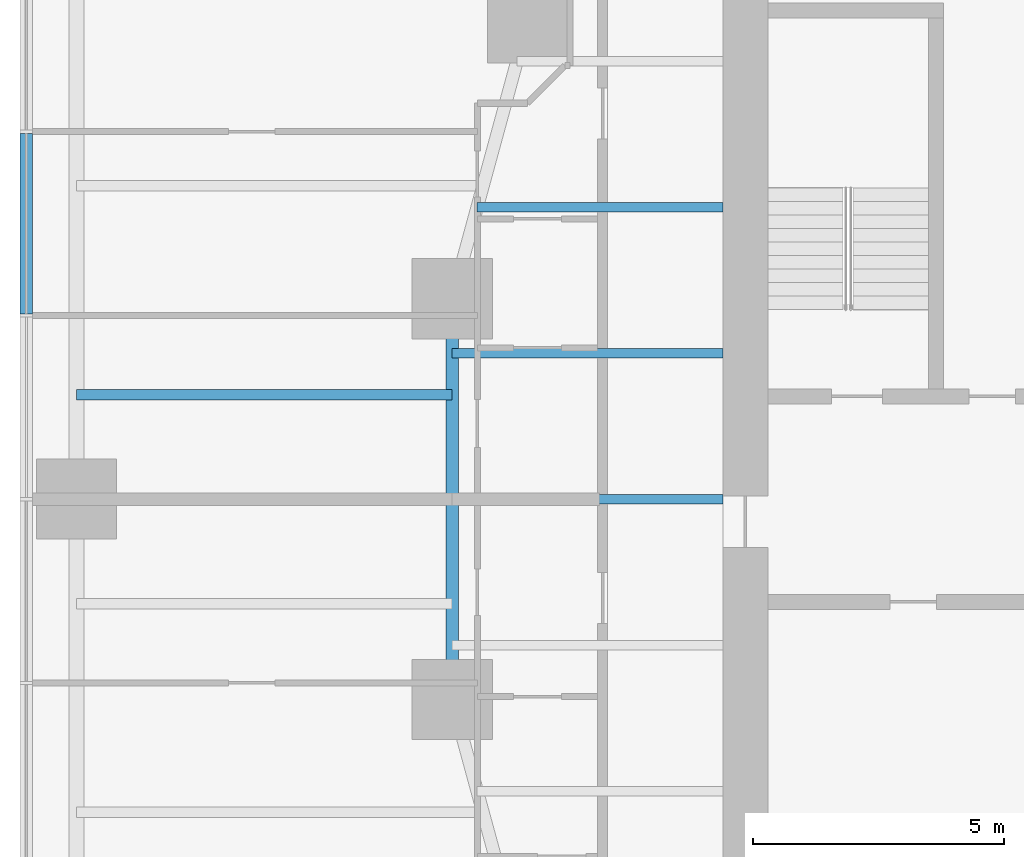
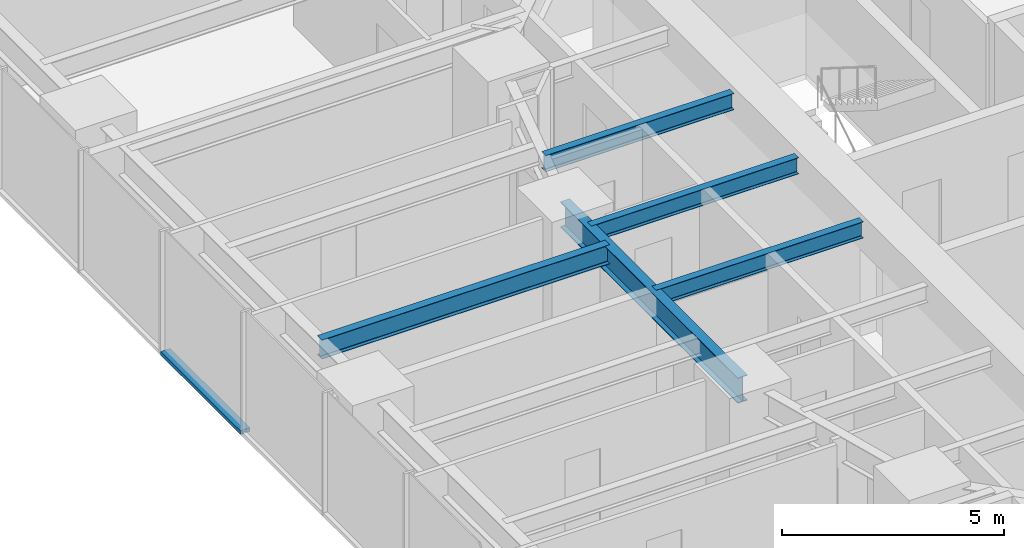
# One storey, part 3 of 17: 5 beams, 1 member, 1 element without a shape of its own.
"""IFC4 building model written with IfcOpenShell, lengths in metres."""

from ifc_helpers import new_model, si_unit, direction, frame, origin, origin_2d, place, context, subcontext, project, spatial, rectangle, i_section, extrude, material, material_profile, profile_set, type_object, element, aggregate, save


model = new_model("IFC4")

# Units and contexts
model_context = context("Model", 3, precision=1e-05, world=origin(), true_north=direction((0.0, 1.0)))
body_context = subcontext(model_context, "Body", "Model", "MODEL_VIEW")
ifc_project = project(units=[si_unit("LENGTHUNIT", "METRE"), si_unit("AREAUNIT", "SQUARE_METRE"), si_unit("VOLUMEUNIT", "CUBIC_METRE"), si_unit("PLANEANGLEUNIT", "RADIAN"), si_unit("MASSUNIT", "GRAM", prefix="KILO")], contexts=[model_context])

# Site, building, storey
site_placement = place(None, origin())
site = spatial("IfcSite", under=ifc_project, at=site_placement, CompositionType="ELEMENT")
building_placement = place(site_placement, origin())
building = spatial("IfcBuilding", under=site, at=building_placement, Name="Torsade Residences", CompositionType="ELEMENT")
storey_placement = place(building_placement, frame((0.0, 0.0, 18.39990234375)))
storey = spatial("IfcBuildingStorey", under=building, at=storey_placement, Name="L04", CompositionType="ELEMENT", Elevation=18.39990234375)

# Curtain wall, member
ifc_material_1 = material(Name="Aluminium and glass", Category="aluminium")
curtain_wall_type = type_object("IfcCurtainWallType", Name="FRITTED GLASS CURTAIN WALL LOW ZONE", PredefinedType="NOTDEFINED", material=ifc_material_1)
curtain_wall_placement = place(storey_placement, origin())
curtain_wall = element("IfcCurtainWall", 1, at=curtain_wall_placement, inside=storey, type_object=curtain_wall_type, Name="Curtain wall L04 face 10", PredefinedType="NOTDEFINED")
ifc_material_2 = material(Name="Aluminium transom", Category="aluminium")
ifc_material_profile_1 = material_profile(ifc_material_2, rectangle(XDim=0.25, YDim=0.10009765625, at=origin_2d()), Name="CURTAIN WALL TRANSOM 250x100")
ifc_profile_set_1 = profile_set([ifc_material_profile_1], Name="Aluminium transom")
member_type = type_object("IfcMemberType", Name="CURTAIN WALL TRANSOM 250x100", PredefinedType="USERDEFINED", material=ifc_profile_set_1)
member_placement = place(storey_placement, frame((14.0, 37.30078125, 0.050048828125), z_axis=(0.0, -1.0, 0.0), x_axis=(1.0, 0.0, 0.0)))
member = element("IfcMember", 2, at=member_placement, type_object=member_type, Name="Transom 5.1", ObjectType="TRANSOM", PredefinedType="USERDEFINED", context=body_context, shape_type="SweptSolid", body=[
    extrude(rectangle(XDim=0.25, YDim=0.10009765625, at=origin_2d()), origin(), (0.0, 0.0, 1.0), 3.6015625),
])
aggregate(curtain_wall, [member])

# Beams
ifc_material_3 = material(Name="Steel grade 300", Category="steel")
ifc_material_profile_2 = material_profile(ifc_material_3, i_section(OverallWidth=0.18994140625, OverallDepth=0.4541015625, WebThickness=0.008544921875, FlangeThickness=0.0126953125, FilletRadius=0.011474609375, at=origin_2d()), Name="460UB67.1")
ifc_profile_set_2 = profile_set([ifc_material_profile_2], Name="Steel grade 300")
beam_type_1 = type_object("IfcBeamType", Name="INNER FLOOR BEAM 460UB67.1", PredefinedType="JOIST", material=ifc_profile_set_2)
beam_1_placement = place(storey_placement, frame((27.89990234375, 35.824951171875, 3.023193359375), z_axis=(-1.0, 0.0, 0.0), x_axis=(0.0, -1.0, 0.0)))
element("IfcBeam", 3, at=beam_1_placement, inside=storey, type_object=beam_type_1, Name="Inner floor beam IW02 L05", PredefinedType="JOIST", context=body_context, shape_type="SweptSolid", body=[
    extrude(i_section(OverallWidth=0.18994140625, OverallDepth=0.4541015625, WebThickness=0.008544921875, FlangeThickness=0.0126953125, FilletRadius=0.011474609375, at=origin_2d()), origin(), (0.0, 0.0, 1.0), 4.902099609375),
])
for number, where, z_axis, x_axis, name in (
    (4, (27.89990234375, 32.91259765625, 3.023193359375), (-1.0, 0.0, 0.0), (0.0, -1.0, 0.0), "Inner floor beam IW03 L05"),
    (5, (27.89990234375, 30.0, 3.023193359375), (-1.0, 0.0, 0.0), (0.0, -1.0, 0.0), "Inner floor beam IW04 L05"),
):
    element("IfcBeam", number, at=place(storey_placement, frame(where, z_axis=z_axis, x_axis=x_axis)), inside=storey, type_object=beam_type_1, Name=name, PredefinedType="JOIST", context=body_context, shape_type="SweptSolid", body=[
        extrude(i_section(OverallWidth=0.18994140625, OverallDepth=0.4541015625, WebThickness=0.008544921875, FlangeThickness=0.0126953125, FilletRadius=0.011474609375, at=origin_2d()), origin(), (0.0, 0.0, 1.0), 5.39990234375),
    ])
ifc_material_4 = material(Name="Steel grade 300", Category="steel")
ifc_material_profile_3 = material_profile(ifc_material_4, i_section(OverallWidth=0.25, OverallDepth=0.699951171875, WebThickness=0.010009765625, FlangeThickness=0.02001953125, at=origin_2d()), Name="700WB130")
ifc_profile_set_3 = profile_set([ifc_material_profile_3], Name="Steel grade 300")
beam_type_2 = type_object("IfcBeamType", Name="RING GIRDER 700WB130", PredefinedType="BEAM", material=ifc_profile_set_3)
beam_2_placement = place(storey_placement, frame((22.5, 34.0, 2.900146484375), z_axis=(0.0, -1.0, 0.0), x_axis=(1.0, 0.0, 0.0)))
element("IfcBeam", 6, at=beam_2_placement, inside=storey, type_object=beam_type_2, Name="Ring girder IR09 L05", PredefinedType="BEAM", context=body_context, shape_type="SweptSolid", body=[
    extrude(i_section(OverallWidth=0.25, OverallDepth=0.699951171875, WebThickness=0.010009765625, FlangeThickness=0.02001953125, at=origin_2d()), origin(), (0.0, 0.0, 1.0), 8.0),
])
ifc_material_5 = material(Name="Steel grade 300", Category="steel")
ifc_material_profile_4 = material_profile(ifc_material_5, i_section(OverallWidth=0.208984375, OverallDepth=0.528076171875, WebThickness=0.009521484375, FlangeThickness=0.01318359375, FilletRadius=0.013916015625, at=origin_2d()), Name="530UB82.0")
ifc_profile_set_4 = profile_set([ifc_material_profile_4], Name="Steel grade 300")
beam_type_3 = type_object("IfcBeamType", Name="SECONDARY BEAM 530UB82.0", PredefinedType="JOIST", material=ifc_profile_set_4)
beam_3_placement = place(storey_placement, frame((15.0, 32.083251953125, 2.986083984375), z_axis=(1.0, 0.0, 0.0), x_axis=(0.0, 1.0, 0.0)))
element("IfcBeam", 7, at=beam_3_placement, inside=storey, type_object=beam_type_3, Name="Floor beam FW06 L05", PredefinedType="JOIST", context=body_context, shape_type="SweptSolid", body=[
    extrude(i_section(OverallWidth=0.208984375, OverallDepth=0.528076171875, WebThickness=0.009521484375, FlangeThickness=0.01318359375, FilletRadius=0.013916015625, at=origin_2d()), origin(), (0.0, 0.0, 1.0), 7.5),
])

save(model, "model.ifc")
